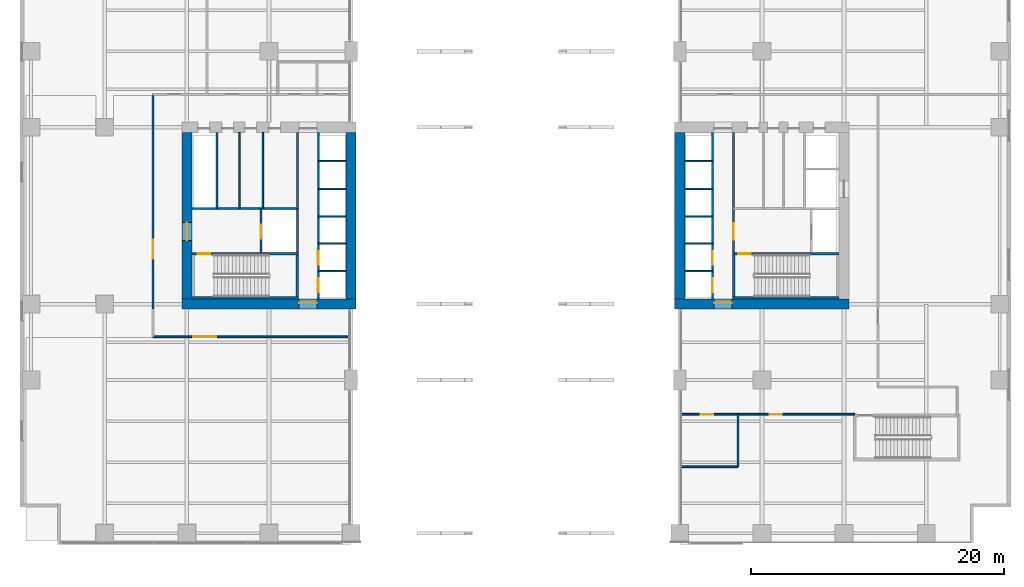
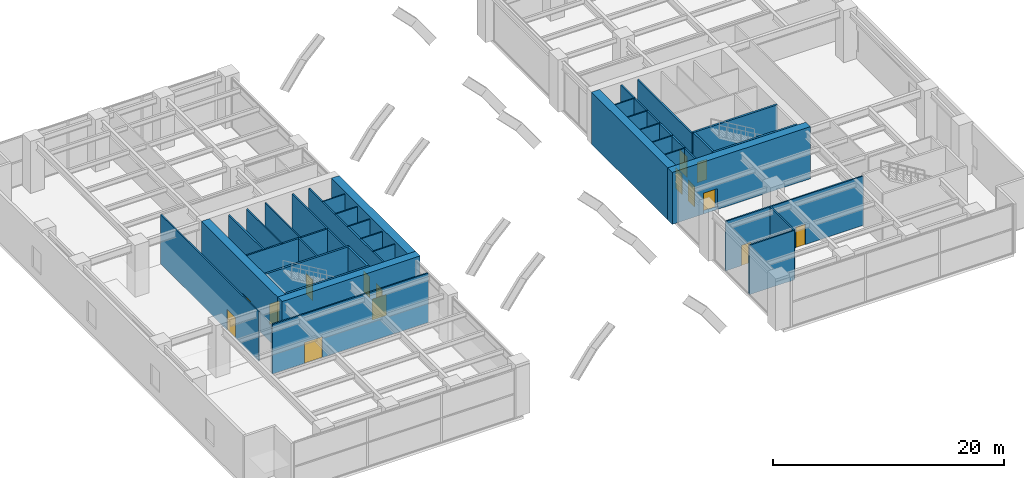
# One storey, part 11 of 18: 37 walls, 15 doors, 15 openings.
"""IFC4 building model written with IfcOpenShell, lengths in metres."""

from ifc_helpers import new_model, si_unit, direction, frame, frame_2d, origin, place, context, subcontext, project, spatial, rectangle, extrude, material, layer, layer_set, type_object, element, fill, save


model = new_model("IFC4")

# Units and contexts
model_context = context("Model", 3, precision=1e-05, world=origin(), true_north=direction((0.0, 1.0)))
body_context = subcontext(model_context, "Body", "Model", "MODEL_VIEW")
ifc_project = project(units=[si_unit("LENGTHUNIT", "METRE"), si_unit("AREAUNIT", "SQUARE_METRE"), si_unit("VOLUMEUNIT", "CUBIC_METRE"), si_unit("PLANEANGLEUNIT", "RADIAN"), si_unit("MASSUNIT", "GRAM", prefix="KILO")], contexts=[model_context])

# Site, building, storey
site_placement = place(None, origin())
site = spatial("IfcSite", under=ifc_project, at=site_placement, CompositionType="ELEMENT")
building_placement = place(site_placement, origin())
building = spatial("IfcBuilding", under=site, at=building_placement, Name="Putna Gate Headquarters", CompositionType="ELEMENT")
storey_placement = place(building_placement, frame((0.0, 0.0, 11.5)))
storey = spatial("IfcBuildingStorey", under=building, at=storey_placement, Name="L02", CompositionType="ELEMENT", Elevation=11.5)

# Wall, opening, door
ifc_material_1 = material(Name="Concrete C60/75", Category="concrete")
ifc_layer_1 = layer(ifc_material_1, 0.800048828125)
ifc_layer_set_1 = layer_set([ifc_layer_1], Name="Concrete C60/75")
wall_type_1 = type_object("IfcWallType", Name="WALL-CORE-800", PredefinedType="SHEAR", material=ifc_layer_set_1)
wall_1_placement = place(storey_placement, frame((12.60009765625, 19.0, 0.0), z_axis=(0.0, 0.0, 1.0), x_axis=(1.0, 0.0, 0.0)))
wall_1 = element("IfcWall", 1, at=wall_1_placement, inside=storey, type_object=wall_type_1, Name="L02 WC Split Core Shear Wall S", PredefinedType="SHEAR", context=body_context, shape_type="SweptSolid", body=[
    extrude(rectangle(XDim=13.7998046875, YDim=0.800048828125, at=frame_2d((6.89990234375, 0.0))), origin(), (0.0, 0.0, 1.0), 5.5),
])
opening_1_placement = place(wall_1_placement, frame((9.280029296875, 0.0, 0.0)))
opening_1 = element("IfcOpeningElement", 2, at=opening_1_placement, cuts=wall_1, Name="Opening FDD-140", PredefinedType="OPENING", context=body_context, shape_type="SweptSolid", body=[
    extrude(rectangle(XDim=1.39990234375, YDim=2.199951171875, at=frame_2d((0.699951171875, 1.10009765625))), frame((0.0, 0.409912109375, 0.0), z_axis=(0.0, -1.0, 0.0), x_axis=(1.0, 0.0, 0.0)), (0.0, 0.0, 1.0), 0.820068359375),
])
ifc_material_2 = material(Name="Double steel fire door", Category="steel")
door_type_1 = type_object("IfcDoorType", Name="DOOR-FIRE-DBL-1400", OperationType="DOUBLE_DOOR_SINGLE_SWING", PredefinedType="DOOR", material=ifc_material_2)
door_1_placement = place(opening_1_placement, origin())
door_1 = element("IfcDoor", 3, at=door_1_placement, inside=storey, type_object=door_type_1, Name="L02 West Lift Lobby South Door", OperationType="DOUBLE_DOOR_SINGLE_SWING", OverallHeight=2.199951171875, OverallWidth=1.39990234375, PredefinedType="DOOR", context=body_context, shape_type="SweptSolid", body=[
    extrude(rectangle(XDim=1.39990234375, YDim=2.199951171875, at=frame_2d((0.699951171875, 1.10009765625))), frame((0.0, 0.125, 0.0), z_axis=(0.0, -1.0, 0.0), x_axis=(1.0, 0.0, 0.0)), (0.0, 0.0, 1.0), 0.050048828125),
])
fill(opening_1, door_1)

wall_2_placement = place(storey_placement, frame((13.0, 19.39990234375, 0.0), z_axis=(0.0, 0.0, 1.0), x_axis=(0.0, 1.0, 0.0)))
wall_2 = element("IfcWall", 4, at=wall_2_placement, inside=storey, type_object=wall_type_1, Name="L02 WC Split Core Shear Wall W", PredefinedType="SHEAR", context=body_context, shape_type="SweptSolid", body=[
    extrude(rectangle(XDim=13.2001953125, YDim=0.800048828125, at=frame_2d((6.60009765625, 0.0))), origin(), (0.0, 0.0, 1.0), 5.5),
])
opening_2_placement = place(wall_2_placement, frame((4.64990234375, 0.0, 0.0)))
opening_2 = element("IfcOpeningElement", 5, at=opening_2_placement, cuts=wall_2, Name="Opening FDD-140", PredefinedType="OPENING", context=body_context, shape_type="SweptSolid", body=[
    extrude(rectangle(XDim=1.39990234375, YDim=2.199951171875, at=frame_2d((0.699951171875, 1.10009765625))), frame((0.0, 0.409912109375, 0.0), z_axis=(0.0, -1.0, 0.0), x_axis=(1.0, 0.0, 0.0)), (0.0, 0.0, 1.0), 0.820068359375),
])
door_2_placement = place(opening_2_placement, origin())
door_2 = element("IfcDoor", 6, at=door_2_placement, inside=storey, type_object=door_type_1, Name="L02 West Firefighting Lobby Door", OperationType="DOUBLE_DOOR_SINGLE_SWING", OverallHeight=2.199951171875, OverallWidth=1.39990234375, PredefinedType="DOOR", context=body_context, shape_type="SweptSolid", body=[
    extrude(rectangle(XDim=1.39990234375, YDim=2.199951171875, at=frame_2d((0.699951171875, 1.10009765625))), frame((0.0, 0.02490234375, 0.0), z_axis=(0.0, -1.0, 0.0), x_axis=(1.0, 0.0, 0.0)), (0.0, 0.0, 1.0), 0.050048828125),
])
fill(opening_2, door_2)

# Wall
wall_3_placement = place(storey_placement, frame((26.0, 19.39990234375, 0.0), z_axis=(0.0, 0.0, 1.0), x_axis=(0.0, 1.0, 0.0)))
element("IfcWall", 7, at=wall_3_placement, inside=storey, type_object=wall_type_1, Name="L02 WC Split Core Shear Wall E", PredefinedType="SHEAR", context=body_context, shape_type="SweptSolid", body=[
    extrude(rectangle(XDim=13.2001953125, YDim=0.800048828125, at=frame_2d((6.60009765625, 0.0))), origin(), (0.0, 0.0, 1.0), 5.5),
])

# Wall, opening, door
wall_4_placement = place(storey_placement, frame((51.60009765625, 19.0, 0.0), z_axis=(0.0, 0.0, 1.0), x_axis=(1.0, 0.0, 0.0)))
wall_4 = element("IfcWall", 8, at=wall_4_placement, inside=storey, type_object=wall_type_1, Name="L02 EC Split Core Shear Wall S", PredefinedType="SHEAR", context=body_context, shape_type="SweptSolid", body=[
    extrude(rectangle(XDim=13.7998046875, YDim=0.800048828125, at=frame_2d((6.89990234375, 0.0))), origin(), (0.0, 0.0, 1.0), 5.5),
])
opening_3_placement = place(wall_4_placement, frame((3.1201171875, 0.0, 0.0)))
opening_3 = element("IfcOpeningElement", 9, at=opening_3_placement, cuts=wall_4, Name="Opening FDD-140", PredefinedType="OPENING", context=body_context, shape_type="SweptSolid", body=[
    extrude(rectangle(XDim=1.39990234375, YDim=2.199951171875, at=frame_2d((0.699951171875, 1.10009765625))), frame((0.0, 0.409912109375, 0.0), z_axis=(0.0, -1.0, 0.0), x_axis=(1.0, 0.0, 0.0)), (0.0, 0.0, 1.0), 0.820068359375),
])
door_3_placement = place(opening_3_placement, origin())
door_3 = element("IfcDoor", 10, at=door_3_placement, inside=storey, type_object=door_type_1, Name="L02 East Lift Lobby South Door", OperationType="DOUBLE_DOOR_SINGLE_SWING", OverallHeight=2.199951171875, OverallWidth=1.39990234375, PredefinedType="DOOR", context=body_context, shape_type="SweptSolid", body=[
    extrude(rectangle(XDim=1.39990234375, YDim=2.199951171875, at=frame_2d((0.699951171875, 1.10009765625))), frame((0.0, 0.125, 0.0), z_axis=(0.0, -1.0, 0.0), x_axis=(1.0, 0.0, 0.0)), (0.0, 0.0, 1.0), 0.050048828125),
])
fill(opening_3, door_3)

# Walls
wall_5_placement = place(storey_placement, frame((52.0, 19.39990234375, 0.0), z_axis=(0.0, 0.0, 1.0), x_axis=(0.0, 1.0, 0.0)))
element("IfcWall", 11, at=wall_5_placement, inside=storey, type_object=wall_type_1, Name="L02 EC Split Core Shear Wall W", PredefinedType="SHEAR", context=body_context, shape_type="SweptSolid", body=[
    extrude(rectangle(XDim=13.2001953125, YDim=0.800048828125, at=frame_2d((6.60009765625, 0.0))), origin(), (0.0, 0.0, 1.0), 5.5),
])
ifc_material_3 = material(Name="Fire-rated shaftwall gypsum board on metal stud")
ifc_layer_2 = layer(ifc_material_3, 0.1201171875)
ifc_layer_set_2 = layer_set([ifc_layer_2], Name="Fire-rated shaftwall gypsum board on metal stud")
wall_type_2 = type_object("IfcWallType", Name="WALL-PART-120-EI120", PredefinedType="PARTITIONING", material=ifc_layer_set_2)
for number, where, z_axis, x_axis, name in (
    (12, (23.39990234375, 21.610107421875, 0.0), (0.0, 0.0, 1.0), (1.0, 0.0, 0.0), "L02 Interior Wall CWINT-L02-WC-LF01-DIV"),
    (13, (23.39990234375, 23.780029296875, 0.0), (0.0, 0.0, 1.0), (1.0, 0.0, 0.0), "L02 Interior Wall CWINT-L02-WC-LF02-DIV"),
    (14, (23.39990234375, 25.949951171875, 0.0), (0.0, 0.0, 1.0), (1.0, 0.0, 0.0), "L02 Interior Wall CWINT-L02-WC-LF05-DIV"),
    (15, (23.39990234375, 28.1201171875, 0.0), (0.0, 0.0, 1.0), (1.0, 0.0, 0.0), "L02 Interior Wall CWINT-L02-WC-LF06-DIV"),
    (16, (23.39990234375, 30.31005859375, 0.0), (0.0, 0.0, 1.0), (1.0, 0.0, 0.0), "L02 Interior Wall CWINT-L02-WC-LF09-DIV"),
    (17, (52.39990234375, 21.610107421875, 0.0), (0.0, 0.0, 1.0), (1.0, 0.0, 0.0), "L02 Interior Wall CWINT-L02-EC-LF03-DIV"),
    (18, (52.39990234375, 23.780029296875, 0.0), (0.0, 0.0, 1.0), (1.0, 0.0, 0.0), "L02 Interior Wall CWINT-L02-EC-LF04-DIV"),
    (19, (52.39990234375, 25.949951171875, 0.0), (0.0, 0.0, 1.0), (1.0, 0.0, 0.0), "L02 Interior Wall CWINT-L02-EC-LF07-DIV"),
    (20, (52.39990234375, 28.1201171875, 0.0), (0.0, 0.0, 1.0), (1.0, 0.0, 0.0), "L02 Interior Wall CWINT-L02-EC-LF08-DIV"),
    (21, (52.39990234375, 30.31005859375, 0.0), (0.0, 0.0, 1.0), (1.0, 0.0, 0.0), "L02 Interior Wall CWINT-L02-EC-LF11-DIV"),
):
    element("IfcWall", number, at=place(storey_placement, frame(where, z_axis=z_axis, x_axis=x_axis)), inside=storey, type_object=wall_type_2, Name=name, PredefinedType="PARTITIONING", context=body_context, shape_type="SweptSolid", body=[
        extrude(rectangle(XDim=2.2001953125, YDim=0.1201171875, at=frame_2d((1.10009765625, 0.0))), origin(), (0.0, 0.0, 1.0), 5.219970703125),
    ])
ifc_material_4 = material(Name="Fire-rated gypsum board on metal stud")
ifc_layer_3 = layer(ifc_material_4, 0.1201171875)
ifc_layer_set_3 = layer_set([ifc_layer_3], Name="Fire-rated gypsum board on metal stud")
wall_type_3 = type_object("IfcWallType", Name="WALL-PART-120-RATED", PredefinedType="PARTITIONING", material=ifc_layer_set_3)
for number, where, z_axis, x_axis, name in (
    (22, (17.169921875, 26.56005859375, 0.0), (0.0, 0.0, 1.0), (0.0, 1.0, 0.0), "L02 Interior Wall CWINT-L02-WC-K2-D1"),
    (23, (19.02001953125, 26.56005859375, 0.0), (0.0, 0.0, 1.0), (0.0, 1.0, 0.0), "L02 Interior Wall CWINT-L02-WC-K2-D2"),
):
    element("IfcWall", number, at=place(storey_placement, frame(where, z_axis=z_axis, x_axis=x_axis)), inside=storey, type_object=wall_type_3, Name=name, PredefinedType="PARTITIONING", context=body_context, shape_type="SweptSolid", body=[
        extrude(rectangle(XDim=6.0400390625, YDim=0.1201171875, at=frame_2d((3.02001953125, 0.0))), origin(), (0.0, 0.0, 1.0), 5.219970703125),
    ])
ifc_layer_4 = layer(ifc_material_4, 0.139892578125)
ifc_layer_set_4 = layer_set([ifc_layer_4], Name="Fire-rated gypsum board on metal stud")
wall_type_4 = type_object("IfcWallType", Name="WALL-PART-140", PredefinedType="PARTITIONING", material=ifc_layer_set_4)
wall_6_placement = place(storey_placement, frame((56.60009765625, 6.139892578125, 0.0), z_axis=(0.0, 0.0, 1.0), x_axis=(0.0, 1.0, 0.0)))
element("IfcWall", 24, at=wall_6_placement, inside=storey, type_object=wall_type_4, Name="L02 Interior Wall PART-L02-EPDIV", PredefinedType="PARTITIONING", context=body_context, shape_type="SweptSolid", body=[
    extrude(rectangle(XDim=4.14013671875, YDim=0.139892578125, at=frame_2d((2.070068359375, 0.0))), origin(), (0.0, 0.0, 1.0), 5.219970703125),
])
wall_7_placement = place(storey_placement, frame((52.080078125, 6.139892578125, 0.0), z_axis=(0.0, 0.0, 1.0), x_axis=(1.0, 0.0, 0.0)))
element("IfcWall", 25, at=wall_7_placement, inside=storey, type_object=wall_type_4, Name="L02 Interior Wall PART-L02-EPS", PredefinedType="PARTITIONING", context=body_context, shape_type="SweptSolid", body=[
    extrude(rectangle(XDim=4.52001953125, YDim=0.139892578125, at=frame_2d((2.260009765625, 0.0))), origin(), (0.0, 0.0, 1.0), 5.219970703125),
])

# Wall, opening, door
wall_8_placement = place(storey_placement, frame((10.320068359375, 16.419921875, 0.0), z_axis=(0.0, 0.0, 1.0), x_axis=(1.0, 0.0, 0.0)))
wall_8 = element("IfcWall", 26, at=wall_8_placement, inside=storey, type_object=wall_type_4, Name="L02 Interior Wall PART-L02-AUD", PredefinedType="PARTITIONING", context=body_context, shape_type="SweptSolid", body=[
    extrude(rectangle(XDim=15.599853515625, YDim=0.139892578125, at=frame_2d((7.7998046875, 0.0))), origin(), (0.0, 0.0, 1.0), 5.219970703125),
])
opening_4_placement = place(wall_8_placement, frame((3.199951171875, 0.0, 0.0)))
opening_4 = element("IfcOpeningElement", 27, at=opening_4_placement, cuts=wall_8, Name="Opening FDD-180", PredefinedType="OPENING", context=body_context, shape_type="SweptSolid", body=[
    extrude(rectangle(XDim=1.800048828125, YDim=2.199951171875, at=frame_2d((0.89990234375, 1.10009765625))), frame((0.0, 0.079833984375, 0.0), z_axis=(0.0, -1.0, 0.0), x_axis=(1.0, 0.0, 0.0)), (0.0, 0.0, 1.0), 0.159912109375),
])
ifc_material_5 = material(Name="Double assembly fire door")
door_type_2 = type_object("IfcDoorType", Name="DOOR-FIRE-DBL-1800", OperationType="DOUBLE_DOOR_SINGLE_SWING", PredefinedType="DOOR", material=ifc_material_5)
door_4_placement = place(opening_4_placement, origin())
door_4 = element("IfcDoor", 28, at=door_4_placement, inside=storey, type_object=door_type_2, Name="L02 Town-Hall Auditorium Door", OperationType="DOUBLE_DOOR_SINGLE_SWING", OverallHeight=2.199951171875, OverallWidth=1.800048828125, PredefinedType="DOOR", context=body_context, shape_type="SweptSolid", body=[
    extrude(rectangle(XDim=1.800048828125, YDim=2.199951171875, at=frame_2d((0.89990234375, 1.10009765625))), frame((0.0, 0.02490234375, 0.0), z_axis=(0.0, -1.0, 0.0), x_axis=(1.0, 0.0, 0.0)), (0.0, 0.0, 1.0), 0.050048828125),
])
fill(opening_4, door_4)

wall_9_placement = place(storey_placement, frame((10.320068359375, 18.60009765625, 0.0), z_axis=(0.0, 0.0, 1.0), x_axis=(0.0, 1.0, 0.0)))
wall_9 = element("IfcWall", 29, at=wall_9_placement, inside=storey, type_object=wall_type_4, Name="L02 Interior Wall PART-L02-FOY", PredefinedType="PARTITIONING", context=body_context, shape_type="SweptSolid", body=[
    extrude(rectangle(XDim=16.97998046875, YDim=0.139892578125, at=frame_2d((8.489990234375, 0.0))), origin(), (0.0, 0.0, 1.0), 5.219970703125),
])
opening_5_placement = place(wall_9_placement, frame((4.0, 0.0, 0.0)))
opening_5 = element("IfcOpeningElement", 30, at=opening_5_placement, cuts=wall_9, Name="Opening FDD-150", PredefinedType="OPENING", context=body_context, shape_type="SweptSolid", body=[
    extrude(rectangle(XDim=1.5, YDim=2.199951171875, at=frame_2d((0.75, 1.10009765625))), frame((0.0, 0.079833984375, 0.0), z_axis=(0.0, -1.0, 0.0), x_axis=(1.0, 0.0, 0.0)), (0.0, 0.0, 1.0), 0.159912109375),
])
ifc_material_6 = material(Name="Double glazed lobby fire door")
door_type_3 = type_object("IfcDoorType", Name="DOOR-FIRE-DBL-1500", OperationType="DOUBLE_DOOR_SINGLE_SWING", PredefinedType="DOOR", material=ifc_material_6)
door_5_placement = place(opening_5_placement, origin())
door_5 = element("IfcDoor", 31, at=door_5_placement, inside=storey, type_object=door_type_3, Name="L02 Auditorium Foyer Door", OperationType="DOUBLE_DOOR_SINGLE_SWING", OverallHeight=2.199951171875, OverallWidth=1.5, PredefinedType="DOOR", context=body_context, shape_type="SweptSolid", body=[
    extrude(rectangle(XDim=1.5, YDim=2.199951171875, at=frame_2d((0.75, 1.10009765625))), frame((0.0, 0.02490234375, 0.0), z_axis=(0.0, -1.0, 0.0), x_axis=(1.0, 0.0, 0.0)), (0.0, 0.0, 1.0), 0.050048828125),
])
fill(opening_5, door_5)

wall_10_placement = place(storey_placement, frame((52.080078125, 10.280029296875, 0.0), z_axis=(0.0, 0.0, 1.0), x_axis=(1.0, 0.0, 0.0)))
wall_10 = element("IfcWall", 32, at=wall_10_placement, inside=storey, type_object=wall_type_4, Name="L02 Interior Wall PART-L02-EPANT", PredefinedType="PARTITIONING", context=body_context, shape_type="SweptSolid", body=[
    extrude(rectangle(XDim=4.52001953125, YDim=0.139892578125, at=frame_2d((2.260009765625, 0.0))), origin(), (0.0, 0.0, 1.0), 5.219970703125),
])
opening_6_placement = place(wall_10_placement, frame((1.60009765625, 0.0, 0.0)))
opening_6 = element("IfcOpeningElement", 33, at=opening_6_placement, cuts=wall_10, Name="Opening IDS-95", PredefinedType="OPENING", context=body_context, shape_type="SweptSolid", body=[
    extrude(rectangle(XDim=0.949951171875, YDim=2.14990234375, at=frame_2d((0.47509765625, 1.074951171875))), frame((0.0, 0.079833984375, 0.0), z_axis=(0.0, -1.0, 0.0), x_axis=(1.0, 0.0, 0.0)), (0.0, 0.0, 1.0), 0.159912109375),
])
ifc_material_7 = material(Name="Fire-rated service timber door", Category="wood")
door_type_4 = type_object("IfcDoorType", Name="DOOR-INT-950", OperationType="NOTDEFINED", PredefinedType="DOOR", material=ifc_material_7)
door_6_placement = place(opening_6_placement, origin())
door_6 = element("IfcDoor", 34, at=door_6_placement, inside=storey, type_object=door_type_4, Name="L02 Academy Break Pantry Door", OperationType="SINGLE_SWING_LEFT", OverallHeight=2.14990234375, OverallWidth=0.949951171875, PredefinedType="DOOR", context=body_context, shape_type="SweptSolid", body=[
    extrude(rectangle(XDim=0.949951171875, YDim=2.14990234375, at=frame_2d((0.47509765625, 1.074951171875))), frame((0.0, 0.02490234375, 0.0), z_axis=(0.0, -1.0, 0.0), x_axis=(1.0, 0.0, 0.0)), (0.0, 0.0, 1.0), 0.050048828125),
])
fill(opening_6, door_6)

wall_11_placement = place(storey_placement, frame((56.60009765625, 10.280029296875, 0.0), z_axis=(0.0, 0.0, 1.0), x_axis=(1.0, 0.0, 0.0)))
wall_11 = element("IfcWall", 35, at=wall_11_placement, inside=storey, type_object=wall_type_4, Name="L02 Interior Wall PART-L02-EST", PredefinedType="PARTITIONING", context=body_context, shape_type="SweptSolid", body=[
    extrude(rectangle(XDim=9.260009765625, YDim=0.139892578125, at=frame_2d((4.6298828125, 0.0))), origin(), (0.0, 0.0, 1.0), 5.219970703125),
])
opening_7_placement = place(wall_11_placement, frame((2.5, 0.0, 0.0)))
opening_7 = element("IfcOpeningElement", 36, at=opening_7_placement, cuts=wall_11, Name="Opening IDS-95", PredefinedType="OPENING", context=body_context, shape_type="SweptSolid", body=[
    extrude(rectangle(XDim=0.949951171875, YDim=2.14990234375, at=frame_2d((0.47509765625, 1.074951171875))), frame((0.0, 0.079833984375, 0.0), z_axis=(0.0, -1.0, 0.0), x_axis=(1.0, 0.0, 0.0)), (0.0, 0.0, 1.0), 0.159912109375),
])
door_7_placement = place(opening_7_placement, origin())
door_7 = element("IfcDoor", 37, at=door_7_placement, inside=storey, type_object=door_type_4, Name="L02 Equipment Store Door", OperationType="SINGLE_SWING_LEFT", OverallHeight=2.14990234375, OverallWidth=0.949951171875, PredefinedType="DOOR", context=body_context, shape_type="SweptSolid", body=[
    extrude(rectangle(XDim=0.949951171875, YDim=2.14990234375, at=frame_2d((0.47509765625, 1.074951171875))), frame((0.0, 0.02490234375, 0.0), z_axis=(0.0, -1.0, 0.0), x_axis=(1.0, 0.0, 0.0)), (0.0, 0.0, 1.0), 0.050048828125),
])
fill(opening_7, door_7)

# Wall
ifc_material_8 = material(Name="Concrete C40/50", Category="concrete")
ifc_layer_5 = layer(ifc_material_8, 0.159912109375)
ifc_layer_set_5 = layer_set([ifc_layer_5], Name="Concrete C40/50")
wall_type_5 = type_object("IfcWallType", Name="WALL-SHAFT-160", PredefinedType="STANDARD", material=ifc_layer_set_5)
wall_12_placement = place(storey_placement, frame((21.739990234375, 23.090087890625, 0.0), z_axis=(0.0, 0.0, 1.0), x_axis=(0.0, 1.0, 0.0)))
element("IfcWall", 38, at=wall_12_placement, inside=storey, type_object=wall_type_5, Name="L02 Interior Wall CWINT-L02-WC-FFL-E", PredefinedType="STANDARD", context=body_context, shape_type="SweptSolid", body=[
    extrude(rectangle(XDim=3.469970703125, YDim=0.159912109375, at=frame_2d((1.73486328125, 0.0))), origin(), (0.0, 0.0, 1.0), 5.219970703125),
])

# Wall, opening, door
wall_13_placement = place(storey_placement, frame((18.8798828125, 23.090087890625, 0.0), z_axis=(0.0, 0.0, 1.0), x_axis=(0.0, 1.0, 0.0)))
wall_13 = element("IfcWall", 39, at=wall_13_placement, inside=storey, type_object=wall_type_5, Name="L02 Interior Wall CWINT-L02-WC-LF13-W", PredefinedType="STANDARD", context=body_context, shape_type="SweptSolid", body=[
    extrude(rectangle(XDim=3.469970703125, YDim=0.159912109375, at=frame_2d((1.73486328125, 0.0))), origin(), (0.0, 0.0, 1.0), 5.219970703125),
])
opening_8_placement = place(wall_13_placement, frame((1.10009765625, 0.0, 0.0)))
opening_8 = element("IfcOpeningElement", 40, at=opening_8_placement, cuts=wall_13, Name="Opening LD-1", PredefinedType="OPENING", context=body_context, shape_type="SweptSolid", body=[
    extrude(rectangle(XDim=1.10009765625, YDim=2.199951171875, at=frame_2d((0.550048828125, 1.10009765625))), frame((0.0, 0.08984375, 0.0), z_axis=(0.0, -1.0, 0.0), x_axis=(1.0, 0.0, 0.0)), (0.0, 0.0, 1.0), 0.179931640625),
])
ifc_material_9 = material(Name="Brushed bronze stainless lift landing door")
door_type_5 = type_object("IfcDoorType", Name="DOOR-LIFT-1100", OperationType="DOUBLE_DOOR_SLIDING", PredefinedType="DOOR", material=ifc_material_9)
door_8_placement = place(opening_8_placement, origin())
door_8 = element("IfcDoor", 41, at=door_8_placement, inside=storey, type_object=door_type_5, Name="L02 Lift Landing Door LD-13", OperationType="DOUBLE_DOOR_SLIDING", OverallHeight=2.199951171875, OverallWidth=1.10009765625, PredefinedType="DOOR", context=body_context, shape_type="SweptSolid", body=[
    extrude(rectangle(XDim=1.10009765625, YDim=2.199951171875, at=frame_2d((0.550048828125, 1.10009765625))), frame((0.0, 0.02490234375, 0.0), z_axis=(0.0, -1.0, 0.0), x_axis=(1.0, 0.0, 0.0)), (0.0, 0.0, 1.0), 0.050048828125),
])
fill(opening_8, door_8)

# Walls
wall_14_placement = place(storey_placement, frame((13.39990234375, 26.56005859375, 0.0), z_axis=(0.0, 0.0, 1.0), x_axis=(1.0, 0.0, 0.0)))
element("IfcWall", 42, at=wall_14_placement, inside=storey, type_object=wall_type_5, Name="L02 Interior Wall CWINT-L02-WC-FFL-N", PredefinedType="STANDARD", context=body_context, shape_type="SweptSolid", body=[
    extrude(rectangle(XDim=8.340087890625, YDim=0.159912109375, at=frame_2d((4.169921875, 0.0))), origin(), (0.0, 0.0, 1.0), 5.219970703125),
])
for number, where, z_axis, x_axis, name in (
    (43, (15.3798828125, 26.56005859375, 0.0), (0.0, 0.0, 1.0), (0.0, 1.0, 0.0), "L02 Interior Wall CWINT-L02-WC-RISER-E"),
    (44, (21.739990234375, 26.56005859375, 0.0), (0.0, 0.0, 1.0), (0.0, 1.0, 0.0), "L02 Interior Wall CWINT-L02-WC-LOB-W"),
):
    element("IfcWall", number, at=place(storey_placement, frame(where, z_axis=z_axis, x_axis=x_axis)), inside=storey, type_object=wall_type_5, Name=name, PredefinedType="STANDARD", context=body_context, shape_type="SweptSolid", body=[
        extrude(rectangle(XDim=6.0400390625, YDim=0.159912109375, at=frame_2d((3.02001953125, 0.0))), origin(), (0.0, 0.0, 1.0), 5.219970703125),
    ])

# Wall, openings, doors
wall_15_placement = place(storey_placement, frame((23.39990234375, 19.39990234375, 0.0), z_axis=(0.0, 0.0, 1.0), x_axis=(0.0, 1.0, 0.0)))
wall_15 = element("IfcWall", 45, at=wall_15_placement, inside=storey, type_object=wall_type_5, Name="L02 Interior Wall CWINT-L02-WC-PL-WALL", PredefinedType="STANDARD", context=body_context, shape_type="SweptSolid", body=[
    extrude(rectangle(XDim=13.2001953125, YDim=0.159912109375, at=frame_2d((6.60009765625, 0.0))), origin(), (0.0, 0.0, 1.0), 5.219970703125),
])
opening_9_placement = place(wall_15_placement, frame((0.550048828125, 0.0, 0.0)))
opening_9 = element("IfcOpeningElement", 46, at=opening_9_placement, cuts=wall_15, Name="Opening LD-1", PredefinedType="OPENING", context=body_context, shape_type="SweptSolid", body=[
    extrude(rectangle(XDim=1.10009765625, YDim=2.199951171875, at=frame_2d((0.550048828125, 1.10009765625))), frame((0.0, 0.08984375, 0.0), z_axis=(0.0, -1.0, 0.0), x_axis=(1.0, 0.0, 0.0)), (0.0, 0.0, 1.0), 0.179931640625),
])
opening_10_placement = place(wall_15_placement, frame((2.699951171875, 0.0, 0.0)))
opening_10 = element("IfcOpeningElement", 47, at=opening_10_placement, cuts=wall_15, Name="Opening LD-1", PredefinedType="OPENING", context=body_context, shape_type="SweptSolid", body=[
    extrude(rectangle(XDim=1.10009765625, YDim=2.199951171875, at=frame_2d((0.550048828125, 1.10009765625))), frame((0.0, 0.08984375, 0.0), z_axis=(0.0, -1.0, 0.0), x_axis=(1.0, 0.0, 0.0)), (0.0, 0.0, 1.0), 0.179931640625),
])
door_9_placement = place(opening_9_placement, origin())
door_9 = element("IfcDoor", 48, at=door_9_placement, inside=storey, type_object=door_type_5, Name="L02 Lift Landing Door LD-01", OperationType="DOUBLE_DOOR_SLIDING", OverallHeight=2.199951171875, OverallWidth=1.10009765625, PredefinedType="DOOR", context=body_context, shape_type="SweptSolid", body=[
    extrude(rectangle(XDim=1.10009765625, YDim=2.199951171875, at=frame_2d((0.550048828125, 1.10009765625))), frame((0.0, 0.02490234375, 0.0), z_axis=(0.0, -1.0, 0.0), x_axis=(1.0, 0.0, 0.0)), (0.0, 0.0, 1.0), 0.050048828125),
])
fill(opening_9, door_9)
door_10_placement = place(opening_10_placement, origin())
door_10 = element("IfcDoor", 49, at=door_10_placement, inside=storey, type_object=door_type_5, Name="L02 Lift Landing Door LD-02", OperationType="DOUBLE_DOOR_SLIDING", OverallHeight=2.199951171875, OverallWidth=1.10009765625, PredefinedType="DOOR", context=body_context, shape_type="SweptSolid", body=[
    extrude(rectangle(XDim=1.10009765625, YDim=2.199951171875, at=frame_2d((0.550048828125, 1.10009765625))), frame((0.0, 0.02490234375, 0.0), z_axis=(0.0, -1.0, 0.0), x_axis=(1.0, 0.0, 0.0)), (0.0, 0.0, 1.0), 0.050048828125),
])
fill(opening_10, door_10)

wall_16_placement = place(storey_placement, frame((54.60009765625, 19.39990234375, 0.0), z_axis=(0.0, 0.0, 1.0), x_axis=(0.0, 1.0, 0.0)))
wall_16 = element("IfcWall", 50, at=wall_16_placement, inside=storey, type_object=wall_type_5, Name="L02 Interior Wall CWINT-L02-EC-PL-WALL", PredefinedType="STANDARD", context=body_context, shape_type="SweptSolid", body=[
    extrude(rectangle(XDim=13.2001953125, YDim=0.159912109375, at=frame_2d((6.60009765625, 0.0))), origin(), (0.0, 0.0, 1.0), 5.219970703125),
])
opening_11_placement = place(wall_16_placement, frame((0.550048828125, 0.0, 0.0)))
opening_11 = element("IfcOpeningElement", 51, at=opening_11_placement, cuts=wall_16, Name="Opening LD-1", PredefinedType="OPENING", context=body_context, shape_type="SweptSolid", body=[
    extrude(rectangle(XDim=1.10009765625, YDim=2.199951171875, at=frame_2d((0.550048828125, 1.10009765625))), frame((0.0, 0.08984375, 0.0), z_axis=(0.0, -1.0, 0.0), x_axis=(1.0, 0.0, 0.0)), (0.0, 0.0, 1.0), 0.179931640625),
])
opening_12_placement = place(wall_16_placement, frame((2.699951171875, 0.0, 0.0)))
opening_12 = element("IfcOpeningElement", 52, at=opening_12_placement, cuts=wall_16, Name="Opening LD-1", PredefinedType="OPENING", context=body_context, shape_type="SweptSolid", body=[
    extrude(rectangle(XDim=1.10009765625, YDim=2.199951171875, at=frame_2d((0.550048828125, 1.10009765625))), frame((0.0, 0.08984375, 0.0), z_axis=(0.0, -1.0, 0.0), x_axis=(1.0, 0.0, 0.0)), (0.0, 0.0, 1.0), 0.179931640625),
])
door_11_placement = place(opening_11_placement, origin())
door_11 = element("IfcDoor", 53, at=door_11_placement, inside=storey, type_object=door_type_5, Name="L02 Lift Landing Door LD-03", OperationType="DOUBLE_DOOR_SLIDING", OverallHeight=2.199951171875, OverallWidth=1.10009765625, PredefinedType="DOOR", context=body_context, shape_type="SweptSolid", body=[
    extrude(rectangle(XDim=1.10009765625, YDim=2.199951171875, at=frame_2d((0.550048828125, 1.10009765625))), frame((0.0, 0.02490234375, 0.0), z_axis=(0.0, -1.0, 0.0), x_axis=(1.0, 0.0, 0.0)), (0.0, 0.0, 1.0), 0.050048828125),
])
fill(opening_11, door_11)
door_12_placement = place(opening_12_placement, origin())
door_12 = element("IfcDoor", 54, at=door_12_placement, inside=storey, type_object=door_type_5, Name="L02 Lift Landing Door LD-04", OperationType="DOUBLE_DOOR_SLIDING", OverallHeight=2.199951171875, OverallWidth=1.10009765625, PredefinedType="DOOR", context=body_context, shape_type="SweptSolid", body=[
    extrude(rectangle(XDim=1.10009765625, YDim=2.199951171875, at=frame_2d((0.550048828125, 1.10009765625))), frame((0.0, 0.02490234375, 0.0), z_axis=(0.0, -1.0, 0.0), x_axis=(1.0, 0.0, 0.0)), (0.0, 0.0, 1.0), 0.050048828125),
])
fill(opening_12, door_12)

# Wall, opening, door
wall_17_placement = place(storey_placement, frame((56.260009765625, 23.090087890625, 0.0), z_axis=(0.0, 0.0, 1.0), x_axis=(0.0, 1.0, 0.0)))
wall_17 = element("IfcWall", 55, at=wall_17_placement, inside=storey, type_object=wall_type_5, Name="L02 Interior Wall CWINT-L02-EC-LOB-E", PredefinedType="STANDARD", context=body_context, shape_type="SweptSolid", body=[
    extrude(rectangle(XDim=9.510009765625, YDim=0.159912109375, at=frame_2d((4.7548828125, 0.0))), origin(), (0.0, 0.0, 1.0), 5.219970703125),
])
opening_13_placement = place(wall_17_placement, frame((1.010009765625, 0.0, 0.0)))
opening_13 = element("IfcOpeningElement", 56, at=opening_13_placement, cuts=wall_17, Name="Opening FDD-130", PredefinedType="OPENING", context=body_context, shape_type="SweptSolid", body=[
    extrude(rectangle(XDim=1.300048828125, YDim=2.199951171875, at=frame_2d((0.64990234375, 1.10009765625))), frame((0.0, 0.08984375, 0.0), z_axis=(0.0, -1.0, 0.0), x_axis=(1.0, 0.0, 0.0)), (0.0, 0.0, 1.0), 0.179931640625),
])
ifc_material_10 = material(Name="Double steel lobby fire door", Category="steel")
door_type_6 = type_object("IfcDoorType", Name="DOOR-FIRE-DBL-1300", OperationType="DOUBLE_DOOR_SINGLE_SWING", PredefinedType="DOOR", material=ifc_material_10)
door_13_placement = place(opening_13_placement, origin())
door_13 = element("IfcDoor", 57, at=door_13_placement, inside=storey, type_object=door_type_6, Name="L02 East Firefighting Lobby Door", OperationType="DOUBLE_DOOR_SINGLE_SWING", OverallHeight=2.199951171875, OverallWidth=1.300048828125, PredefinedType="DOOR", context=body_context, shape_type="SweptSolid", body=[
    extrude(rectangle(XDim=1.300048828125, YDim=2.199951171875, at=frame_2d((0.64990234375, 1.10009765625))), frame((0.0, 0.02490234375, 0.0), z_axis=(0.0, -1.0, 0.0), x_axis=(1.0, 0.0, 0.0)), (0.0, 0.0, 1.0), 0.050048828125),
])
fill(opening_13, door_13)

# Wall
ifc_layer_6 = layer(ifc_material_8, 0.199951171875)
ifc_layer_set_6 = layer_set([ifc_layer_6], Name="Concrete C40/50")
wall_type_6 = type_object("IfcWallType", Name="WALL-SHAFT-RC200", PredefinedType="SHEAR", material=ifc_layer_set_6)
wall_18_placement = place(storey_placement, frame((13.409912109375, 19.510009765625, 0.0), z_axis=(0.0, 0.0, 1.0), x_axis=(1.0, 0.0, 0.0)))
element("IfcWall", 58, at=wall_18_placement, inside=storey, type_object=wall_type_6, Name="L02 Stair ST1 Structural Shaft Wall S", PredefinedType="SHEAR", context=body_context, shape_type="SweptSolid", body=[
    extrude(rectangle(XDim=8.43017578125, YDim=0.199951171875, at=frame_2d((4.215087890625, 0.0))), origin(), (0.0, 0.0, 1.0), 5.5),
])

# Wall, opening, door
wall_19_placement = place(storey_placement, frame((13.409912109375, 22.989990234375, 0.0), z_axis=(0.0, 0.0, 1.0), x_axis=(1.0, 0.0, 0.0)))
wall_19 = element("IfcWall", 59, at=wall_19_placement, inside=storey, type_object=wall_type_6, Name="L02 Stair ST1 Structural Shaft Wall N", PredefinedType="SHEAR", context=body_context, shape_type="SweptSolid", body=[
    extrude(rectangle(XDim=8.43017578125, YDim=0.199951171875, at=frame_2d((4.215087890625, 0.0))), origin(), (0.0, 0.0, 1.0), 5.5),
])
opening_14_placement = place(wall_19_placement, frame((0.449951171875, 0.0, 0.0)))
opening_14 = element("IfcOpeningElement", 60, at=opening_14_placement, cuts=wall_19, Name="Opening FD-100", PredefinedType="OPENING", context=body_context, shape_type="SweptSolid", body=[
    extrude(rectangle(XDim=1.0, YDim=2.14990234375, at=frame_2d((0.5, 1.074951171875))), frame((0.0, 0.10986328125, 0.0), z_axis=(0.0, -1.0, 0.0), x_axis=(1.0, 0.0, 0.0)), (0.0, 0.0, 1.0), 0.219970703125),
])
ifc_material_11 = material(Name="Powder-coated steel fire door", Category="steel")
door_type_7 = type_object("IfcDoorType", Name="DOOR-FIRE-1000", OperationType="NOTDEFINED", PredefinedType="DOOR", material=ifc_material_11)
door_14_placement = place(opening_14_placement, origin())
door_14 = element("IfcDoor", 61, at=door_14_placement, inside=storey, type_object=door_type_7, Name="L02 Stair ST1 Fire Door", OperationType="SINGLE_SWING_LEFT", OverallHeight=2.14990234375, OverallWidth=1.0, PredefinedType="DOOR", context=body_context, shape_type="SweptSolid", body=[
    extrude(rectangle(XDim=1.0, YDim=2.14990234375, at=frame_2d((0.5, 1.074951171875))), frame((0.0, 0.02490234375, 0.0), z_axis=(0.0, -1.0, 0.0), x_axis=(1.0, 0.0, 0.0)), (0.0, 0.0, 1.0), 0.050048828125),
])
fill(opening_14, door_14)

# Walls
wall_20_placement = place(storey_placement, frame((21.739990234375, 19.610107421875, 0.0), z_axis=(0.0, 0.0, 1.0), x_axis=(0.0, 1.0, 0.0)))
element("IfcWall", 62, at=wall_20_placement, inside=storey, type_object=wall_type_6, Name="L02 Stair ST1 Structural Shaft Wall E", PredefinedType="SHEAR", context=body_context, shape_type="SweptSolid", body=[
    extrude(rectangle(XDim=3.27978515625, YDim=0.199951171875, at=frame_2d((1.639892578125, 0.0))), origin(), (0.0, 0.0, 1.0), 5.5),
])
wall_21_placement = place(storey_placement, frame((56.159912109375, 19.510009765625, 0.0), z_axis=(0.0, 0.0, 1.0), x_axis=(1.0, 0.0, 0.0)))
element("IfcWall", 63, at=wall_21_placement, inside=storey, type_object=wall_type_6, Name="L02 Stair ST2 Structural Shaft Wall S", PredefinedType="SHEAR", context=body_context, shape_type="SweptSolid", body=[
    extrude(rectangle(XDim=8.43017578125, YDim=0.199951171875, at=frame_2d((4.215087890625, 0.0))), origin(), (0.0, 0.0, 1.0), 5.5),
])

# Wall, opening, door
wall_22_placement = place(storey_placement, frame((56.159912109375, 22.989990234375, 0.0), z_axis=(0.0, 0.0, 1.0), x_axis=(1.0, 0.0, 0.0)))
wall_22 = element("IfcWall", 64, at=wall_22_placement, inside=storey, type_object=wall_type_6, Name="L02 Stair ST2 Structural Shaft Wall N", PredefinedType="SHEAR", context=body_context, shape_type="SweptSolid", body=[
    extrude(rectangle(XDim=8.43017578125, YDim=0.199951171875, at=frame_2d((4.215087890625, 0.0))), origin(), (0.0, 0.0, 1.0), 5.5),
])
opening_15_placement = place(wall_22_placement, frame((0.449951171875, 0.0, 0.0)))
opening_15 = element("IfcOpeningElement", 65, at=opening_15_placement, cuts=wall_22, Name="Opening FD-100", PredefinedType="OPENING", context=body_context, shape_type="SweptSolid", body=[
    extrude(rectangle(XDim=1.0, YDim=2.14990234375, at=frame_2d((0.5, 1.074951171875))), frame((0.0, 0.10986328125, 0.0), z_axis=(0.0, -1.0, 0.0), x_axis=(1.0, 0.0, 0.0)), (0.0, 0.0, 1.0), 0.219970703125),
])
door_15_placement = place(opening_15_placement, origin())
door_15 = element("IfcDoor", 66, at=door_15_placement, inside=storey, type_object=door_type_7, Name="L02 Stair ST2 Fire Door", OperationType="SINGLE_SWING_RIGHT", OverallHeight=2.14990234375, OverallWidth=1.0, PredefinedType="DOOR", context=body_context, shape_type="SweptSolid", body=[
    extrude(rectangle(XDim=1.0, YDim=2.14990234375, at=frame_2d((0.5, 1.074951171875))), frame((0.0, 0.02490234375, 0.0), z_axis=(0.0, -1.0, 0.0), x_axis=(1.0, 0.0, 0.0)), (0.0, 0.0, 1.0), 0.050048828125),
])
fill(opening_15, door_15)

# Wall
wall_23_placement = place(storey_placement, frame((56.260009765625, 19.610107421875, 0.0), z_axis=(0.0, 0.0, 1.0), x_axis=(0.0, 1.0, 0.0)))
element("IfcWall", 67, at=wall_23_placement, inside=storey, type_object=wall_type_6, Name="L02 Stair ST2 Structural Shaft Wall W", PredefinedType="SHEAR", context=body_context, shape_type="SweptSolid", body=[
    extrude(rectangle(XDim=3.27978515625, YDim=0.199951171875, at=frame_2d((1.639892578125, 0.0))), origin(), (0.0, 0.0, 1.0), 5.5),
])

save(model, "model.ifc")
